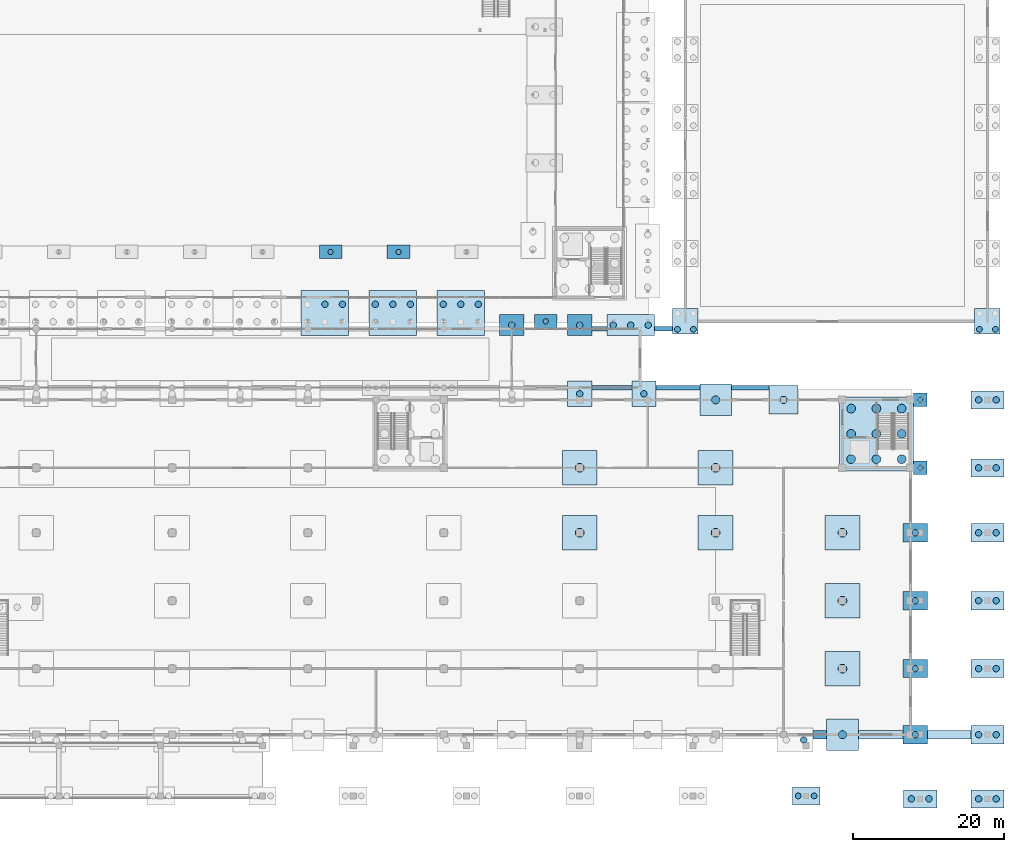
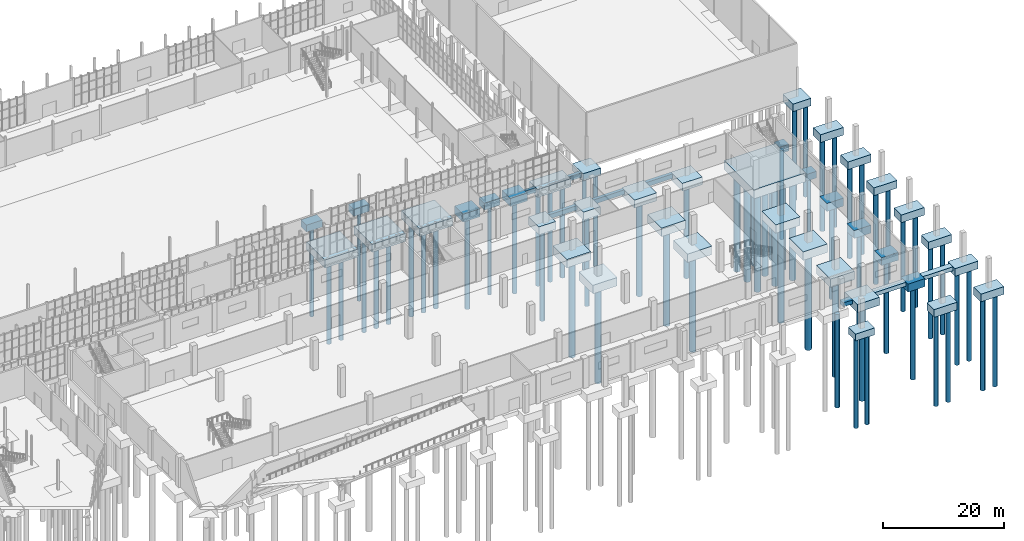
# One storey, part 6 of 131: 66 piles, 47 footings.
"""IFC4 building model written with IfcOpenShell, lengths in metres."""

from ifc_helpers import new_model, si_unit, direction, frame, origin, origin_2d, place, context, subcontext, project, spatial, rectangle, circle, extrude, material, material_profile, profile_set, type_object, element, save


model = new_model("IFC4")

# Units and contexts
model_context = context("Model", 3, precision=1e-05, world=origin(), true_north=direction((0.0, 1.0)))
body_context = subcontext(model_context, "Body", "Model", "MODEL_VIEW")
ifc_project = project(units=[si_unit("LENGTHUNIT", "METRE"), si_unit("AREAUNIT", "SQUARE_METRE"), si_unit("VOLUMEUNIT", "CUBIC_METRE"), si_unit("PLANEANGLEUNIT", "RADIAN"), si_unit("MASSUNIT", "GRAM", prefix="KILO")], contexts=[model_context])

# Site, building, storey
site_placement = place(None, origin())
site = spatial("IfcSite", under=ifc_project, at=site_placement, CompositionType="ELEMENT")
building_placement = place(site_placement, origin())
building = spatial("IfcBuilding", under=site, at=building_placement, Name="Cazmaro Siding Exhibition Halls", CompositionType="ELEMENT")
storey_placement = place(building_placement, origin())
storey = spatial("IfcBuildingStorey", under=building, at=storey_placement, Name="L00", CompositionType="ELEMENT", Elevation=0.0)

# Footings
ifc_material_1 = material(Name="Concrete f'c 35 MPa", Category="concrete")
footing_type_1 = type_object("IfcFootingType", Name="GB-0200", PredefinedType="FOOTING_BEAM", material=ifc_material_1)
footing_1_placement = place(storey_placement, frame((164.60009765625, 63.0, -0.89990234375), z_axis=(0.0, 0.0, 1.0), x_axis=(1.0, 0.0, 0.0)))
element("IfcFooting", 1, at=footing_1_placement, inside=storey, type_object=footing_type_1, Name="Seismic tie ground beam GB-0200 FTG-0278", PredefinedType="FOOTING_BEAM", context=body_context, shape_type="SweptSolid", body=[
    extrude(rectangle(XDim=2.0, YDim=0.60009765625, at=origin_2d()), origin(), (0.0, 0.0, 1.0), 0.89990234375),
])
ifc_material_2 = material(Name="Concrete f'c 35 MPa", Category="concrete")
footing_type_2 = type_object("IfcFootingType", Name="GB-0240", PredefinedType="FOOTING_BEAM", material=ifc_material_2)
footing_2_placement = place(storey_placement, frame((173.10009765625, 63.0, -0.89990234375), z_axis=(0.0, 0.0, 1.0), x_axis=(1.0, 0.0, 0.0)))
element("IfcFooting", 2, at=footing_2_placement, inside=storey, type_object=footing_type_2, Name="Seismic tie ground beam GB-0240 FTG-0279", PredefinedType="FOOTING_BEAM", context=body_context, shape_type="SweptSolid", body=[
    extrude(rectangle(XDim=2.39990234375, YDim=0.60009765625, at=origin_2d()), origin(), (0.0, 0.0, 1.0), 0.89990234375),
])
ifc_material_3 = material(Name="Concrete f'c 35 MPa", Category="concrete")
footing_type_3 = type_object("IfcFootingType", Name="GB-0500", PredefinedType="FOOTING_BEAM", material=ifc_material_3)
footing_3_placement = place(storey_placement, frame((184.60009765625, 55.199951171875, -0.89990234375), z_axis=(0.0, 0.0, 1.0), x_axis=(1.0, 0.0, 0.0)))
element("IfcFooting", 3, at=footing_3_placement, inside=storey, type_object=footing_type_3, Name="Seismic tie ground beam GB-0500 FTG-0262", PredefinedType="FOOTING_BEAM", context=body_context, shape_type="SweptSolid", body=[
    extrude(rectangle(XDim=5.0, YDim=0.60009765625, at=origin_2d()), origin(), (0.0, 0.0, 1.0), 0.89990234375),
])
ifc_material_4 = material(Name="Concrete f'c 35 MPa", Category="concrete")
footing_type_4 = type_object("IfcFootingType", Name="GB-0530", PredefinedType="FOOTING_BEAM", material=ifc_material_4)
footing_4_placement = place(storey_placement, frame((166.25, 55.199951171875, -0.89990234375), z_axis=(0.0, 0.0, 1.0), x_axis=(1.0, 0.0, 0.0)))
element("IfcFooting", 4, at=footing_4_placement, inside=storey, type_object=footing_type_4, Name="Seismic tie ground beam GB-0530 FTG-0260", PredefinedType="FOOTING_BEAM", context=body_context, shape_type="SweptSolid", body=[
    extrude(rectangle(XDim=5.300048828125, YDim=0.60009765625, at=origin_2d()), origin(), (0.0, 0.0, 1.0), 0.89990234375),
])
ifc_material_5 = material(Name="Concrete f'c 35 MPa", Category="concrete")
footing_type_5 = type_object("IfcFootingType", Name="GB-0580", PredefinedType="FOOTING_BEAM", material=ifc_material_5)
footing_5_placement = place(storey_placement, frame((175.0, 55.199951171875, -0.89990234375), z_axis=(0.0, 0.0, 1.0), x_axis=(1.0, 0.0, 0.0)))
element("IfcFooting", 5, at=footing_5_placement, inside=storey, type_object=footing_type_5, Name="Seismic tie ground beam GB-0580 FTG-0261", PredefinedType="FOOTING_BEAM", context=body_context, shape_type="SweptSolid", body=[
    extrude(rectangle(XDim=5.800048828125, YDim=0.60009765625, at=origin_2d()), origin(), (0.0, 0.0, 1.0), 0.89990234375),
])

# Piles
ifc_material_6 = material(Name="Concrete f'c 35 MPa", Category="concrete")
ifc_material_profile_1 = material_profile(ifc_material_6, circle(Radius=0.35009765625, at=origin_2d()), Name="CIDH-700")
ifc_profile_set_1 = profile_set([ifc_material_profile_1], Name="Concrete f'c 35 MPa")
pile_type_1 = type_object("IfcPileType", Name="P-01", PredefinedType="BORED", material=ifc_profile_set_1)
for number, where, z_axis, x_axis, name in (
    (6, (129.0, 73.199951171875, -1.300048828125), (0.0, 0.0, -1.0), (1.0, 0.0, 0.0), "Bored pile P-01 PIL-0532"),
    (7, (138.0, 73.199951171875, -1.300048828125), (0.0, 0.0, -1.0), (1.0, 0.0, 0.0), "Bored pile P-01 PIL-0552"),
    (8, (157.5, 64.0, -1.300048828125), (0.0, 0.0, -1.0), (1.0, 0.0, 0.0), "Bored pile P-01 PIL-0594"),
    (9, (207.10009765625, 44.60009765625, -1.25), (0.0, 0.0, -1.0), (1.0, 0.0, 0.0), "Bored pile P-01 PIL-0715"),
    (10, (207.10009765625, 53.60009765625, -1.25), (0.0, 0.0, -1.0), (1.0, 0.0, 0.0), "Bored pile P-01 PIL-0716"),
):
    element("IfcPile", number, at=place(storey_placement, frame(where, z_axis=z_axis, x_axis=x_axis)), inside=storey, type_object=pile_type_1, Name=name, PredefinedType="BORED", context=body_context, shape_type="SweptSolid", body=[
        extrude(circle(Radius=0.35009765625, at=origin_2d()), origin(), (0.0, 0.0, 1.0), 18.0),
    ])
ifc_material_7 = material(Name="Concrete f'c 35 MPa", Category="concrete")
ifc_material_profile_2 = material_profile(ifc_material_7, circle(Radius=0.389892578125, at=origin_2d()), Name="CIDH-780")
ifc_profile_set_2 = profile_set([ifc_material_profile_2], Name="Concrete f'c 35 MPa")
pile_type_2 = type_object("IfcPileType", Name="P-02", PredefinedType="BORED", material=ifc_profile_set_2)
for number, where, z_axis, x_axis, name in (
    (11, (174.947021484375, 62.947021484375, -1.39990234375), (0.0, 0.0, -1.0), (1.0, 0.0, 0.0), "Bored pile P-02 PIL-0661"),
    (12, (177.052978515625, 62.947021484375, -1.39990234375), (0.0, 0.0, -1.0), (1.0, 0.0, 0.0), "Bored pile P-02 PIL-0662"),
    (13, (190.947021484375, 1.14990234375, -1.300048828125), (0.0, 0.0, -1.0), (1.0, 0.0, 0.0), "Bored pile P-02 PIL-0703"),
    (14, (193.052978515625, 1.14990234375, -1.300048828125), (0.0, 0.0, -1.0), (1.0, 0.0, 0.0), "Bored pile P-02 PIL-0704"),
    (15, (214.947021484375, 62.947021484375, -1.39990234375), (0.0, 0.0, -1.0), (1.0, 0.0, 0.0), "Bored pile P-02 PIL-0731"),
    (16, (217.052978515625, 62.947021484375, -1.39990234375), (0.0, 0.0, -1.0), (1.0, 0.0, 0.0), "Bored pile P-02 PIL-0732"),
):
    element("IfcPile", number, at=place(storey_placement, frame(where, z_axis=z_axis, x_axis=x_axis)), inside=storey, type_object=pile_type_2, Name=name, PredefinedType="BORED", context=body_context, shape_type="SweptSolid", body=[
        extrude(circle(Radius=0.389892578125, at=origin_2d()), origin(), (0.0, 0.0, 1.0), 18.39990234375),
    ])
ifc_material_8 = material(Name="Concrete f'c 35 MPa", Category="concrete")
ifc_material_profile_3 = material_profile(ifc_material_8, circle(Radius=0.429931640625, at=origin_2d()), Name="CIDH-860")
ifc_profile_set_3 = profile_set([ifc_material_profile_3], Name="Concrete f'c 35 MPa")
pile_type_3 = type_object("IfcPileType", Name="P-03", PredefinedType="BORED", material=ifc_profile_set_3)
for number, where, z_axis, x_axis, name in (
    (17, (128.25, 66.260986328125, -1.5), (0.0, 0.0, -1.0), (1.0, 0.0, 0.0), "Bored pile P-03 PIL-0523"),
    (18, (130.572021484375, 66.260986328125, -1.5), (0.0, 0.0, -1.0), (1.0, 0.0, 0.0), "Bored pile P-03 PIL-0525"),
    (19, (134.927978515625, 66.260986328125, -1.5), (0.0, 0.0, -1.0), (1.0, 0.0, 0.0), "Bored pile P-03 PIL-0541"),
    (20, (137.25, 66.260986328125, -1.5), (0.0, 0.0, -1.0), (1.0, 0.0, 0.0), "Bored pile P-03 PIL-0543"),
    (21, (139.572021484375, 66.260986328125, -1.5), (0.0, 0.0, -1.0), (1.0, 0.0, 0.0), "Bored pile P-03 PIL-0545"),
    (22, (143.927978515625, 66.260986328125, -1.5), (0.0, 0.0, -1.0), (1.0, 0.0, 0.0), "Bored pile P-03 PIL-0562"),
    (23, (146.25, 66.260986328125, -1.5), (0.0, 0.0, -1.0), (1.0, 0.0, 0.0), "Bored pile P-03 PIL-0564"),
    (24, (148.572021484375, 66.260986328125, -1.5), (0.0, 0.0, -1.0), (1.0, 0.0, 0.0), "Bored pile P-03 PIL-0566"),
    (25, (153.0, 63.5, -1.5), (0.0, 0.0, -1.0), (1.0, 0.0, 0.0), "Bored pile P-03 PIL-0584"),
    (26, (162.0, 54.39990234375, -1.5), (0.0, 0.0, -1.0), (1.0, 0.0, 0.0), "Bored pile P-03 PIL-0608"),
    (27, (162.0, 63.5, -1.5), (0.0, 0.0, -1.0), (1.0, 0.0, 0.0), "Bored pile P-03 PIL-0609"),
    (28, (166.427978515625, 63.5, -1.5), (0.0, 0.0, -1.0), (1.0, 0.0, 0.0), "Bored pile P-03 PIL-0610"),
    (29, (168.75, 63.5, -1.5), (0.0, 0.0, -1.0), (1.0, 0.0, 0.0), "Bored pile P-03 PIL-0611"),
    (30, (171.072021484375, 63.5, -1.5), (0.0, 0.0, -1.0), (1.0, 0.0, 0.0), "Bored pile P-03 PIL-0612"),
    (31, (170.5, 54.39990234375, -1.5), (0.0, 0.0, -1.0), (1.0, 0.0, 0.0), "Bored pile P-03 PIL-0653"),
    (32, (191.660888671875, 8.550048828125, -1.5), (0.0, 0.0, -1.0), (1.0, 0.0, 0.0), "Bored pile P-03 PIL-0701"),
    (33, (206.449951171875, 9.25, -1.5), (0.0, 0.0, -1.0), (1.0, 0.0, 0.0), "Bored pile P-03 PIL-0709"),
    (34, (206.449951171875, 18.0, -1.5), (0.0, 0.0, -1.0), (1.0, 0.0, 0.0), "Bored pile P-03 PIL-0710"),
    (35, (206.449951171875, 27.0, -1.5), (0.0, 0.0, -1.0), (1.0, 0.0, 0.0), "Bored pile P-03 PIL-0711"),
    (36, (206.449951171875, 36.0, -1.5), (0.0, 0.0, -1.0), (1.0, 0.0, 0.0), "Bored pile P-03 PIL-0712"),
    (37, (205.93896484375, 0.75, -1.449951171875), (0.0, 0.0, -1.0), (1.0, 0.0, 0.0), "Bored pile P-03 PIL-0713"),
    (38, (208.260986328125, 0.75, -1.449951171875), (0.0, 0.0, -1.0), (1.0, 0.0, 0.0), "Bored pile P-03 PIL-0714"),
    (39, (214.839111328125, 0.75, -1.449951171875), (0.0, 0.0, -1.0), (1.0, 0.0, 0.0), "Bored pile P-03 PIL-0717"),
    (40, (217.160888671875, 0.75, -1.449951171875), (0.0, 0.0, -1.0), (1.0, 0.0, 0.0), "Bored pile P-03 PIL-0718"),
    (41, (214.839111328125, 9.25, -1.449951171875), (0.0, 0.0, -1.0), (1.0, 0.0, 0.0), "Bored pile P-03 PIL-0719"),
    (42, (217.160888671875, 9.25, -1.449951171875), (0.0, 0.0, -1.0), (1.0, 0.0, 0.0), "Bored pile P-03 PIL-0720"),
    (43, (214.839111328125, 18.0, -1.449951171875), (0.0, 0.0, -1.0), (1.0, 0.0, 0.0), "Bored pile P-03 PIL-0721"),
    (44, (217.160888671875, 18.0, -1.449951171875), (0.0, 0.0, -1.0), (1.0, 0.0, 0.0), "Bored pile P-03 PIL-0722"),
    (45, (214.839111328125, 27.0, -1.449951171875), (0.0, 0.0, -1.0), (1.0, 0.0, 0.0), "Bored pile P-03 PIL-0723"),
    (46, (217.160888671875, 27.0, -1.449951171875), (0.0, 0.0, -1.0), (1.0, 0.0, 0.0), "Bored pile P-03 PIL-0724"),
    (47, (214.839111328125, 36.0, -1.449951171875), (0.0, 0.0, -1.0), (1.0, 0.0, 0.0), "Bored pile P-03 PIL-0725"),
    (48, (217.160888671875, 36.0, -1.449951171875), (0.0, 0.0, -1.0), (1.0, 0.0, 0.0), "Bored pile P-03 PIL-0726"),
    (49, (214.839111328125, 44.60009765625, -1.449951171875), (0.0, 0.0, -1.0), (1.0, 0.0, 0.0), "Bored pile P-03 PIL-0727"),
    (50, (217.160888671875, 44.60009765625, -1.449951171875), (0.0, 0.0, -1.0), (1.0, 0.0, 0.0), "Bored pile P-03 PIL-0728"),
    (51, (214.839111328125, 53.60009765625, -1.449951171875), (0.0, 0.0, -1.0), (1.0, 0.0, 0.0), "Bored pile P-03 PIL-0729"),
    (52, (217.160888671875, 53.60009765625, -1.449951171875), (0.0, 0.0, -1.0), (1.0, 0.0, 0.0), "Bored pile P-03 PIL-0730"),
):
    element("IfcPile", number, at=place(storey_placement, frame(where, z_axis=z_axis, x_axis=x_axis)), inside=storey, type_object=pile_type_3, Name=name, PredefinedType="BORED", context=body_context, shape_type="SweptSolid", body=[
        extrude(circle(Radius=0.429931640625, at=origin_2d()), origin(), (0.0, 0.0, 1.0), 18.800048828125),
    ])
ifc_material_9 = material(Name="Concrete f'c 35 MPa", Category="concrete")
ifc_material_profile_4 = material_profile(ifc_material_9, circle(Radius=0.47998046875, at=origin_2d()), Name="CIDH-960")
ifc_profile_set_4 = profile_set([ifc_material_profile_4], Name="Concrete f'c 35 MPa")
pile_type_4 = type_object("IfcPileType", Name="P-04", PredefinedType="BORED", material=ifc_profile_set_4)
pile_placement = place(storey_placement, frame((189.0, 53.60009765625, -1.449951171875), z_axis=(0.0, 0.0, -1.0), x_axis=(1.0, 0.0, 0.0)))
element("IfcPile", 53, at=pile_placement, inside=storey, type_object=pile_type_4, Name="Bored pile P-04 PIL-0702", PredefinedType="BORED", context=body_context, shape_type="SweptSolid", body=[
    extrude(circle(Radius=0.47998046875, at=origin_2d()), origin(), (0.0, 0.0, 1.0), 19.199951171875),
])
ifc_material_10 = material(Name="Concrete f'c 35 MPa", Category="concrete")
ifc_material_profile_5 = material_profile(ifc_material_10, circle(Radius=0.530029296875, at=origin_2d()), Name="CIDH-1060")
ifc_profile_set_5 = profile_set([ifc_material_profile_5], Name="Concrete f'c 35 MPa")
pile_type_5 = type_object("IfcPileType", Name="P-05", PredefinedType="BORED", material=ifc_profile_set_5)
for number, where, z_axis, x_axis, name in (
    (54, (180.0, 53.60009765625, -1.5), (0.0, 0.0, -1.0), (1.0, 0.0, 0.0), "Bored pile P-05 PIL-0699"),
    (55, (196.800048828125, 9.25, -1.5), (0.0, 0.0, -1.0), (1.0, 0.0, 0.0), "Bored pile P-05 PIL-0705"),
):
    element("IfcPile", number, at=place(storey_placement, frame(where, z_axis=z_axis, x_axis=x_axis)), inside=storey, type_object=pile_type_5, Name=name, PredefinedType="BORED", context=body_context, shape_type="SweptSolid", body=[
        extrude(circle(Radius=0.530029296875, at=origin_2d()), origin(), (0.0, 0.0, 1.0), 19.60009765625),
    ])
ifc_material_11 = material(Name="Concrete f'c 35 MPa", Category="concrete")
ifc_material_profile_6 = material_profile(ifc_material_11, circle(Radius=0.580078125, at=origin_2d()), Name="CIDH-1160")
ifc_profile_set_6 = profile_set([ifc_material_profile_6], Name="Concrete f'c 35 MPa")
pile_type_6 = type_object("IfcPileType", Name="P-06", PredefinedType="BORED", material=ifc_profile_set_6)
for number, where, z_axis, x_axis, name in (
    (56, (197.949951171875, 45.75, -1.699951171875), (0.0, 0.0, -1.0), (1.0, 0.0, 0.0), "Bored pile P-06 PIL-0052"),
    (57, (197.949951171875, 49.10009765625, -1.699951171875), (0.0, 0.0, -1.0), (1.0, 0.0, 0.0), "Bored pile P-06 PIL-0053"),
    (58, (197.949951171875, 52.449951171875, -1.699951171875), (0.0, 0.0, -1.0), (1.0, 0.0, 0.0), "Bored pile P-06 PIL-0054"),
    (59, (201.300048828125, 45.75, -1.699951171875), (0.0, 0.0, -1.0), (1.0, 0.0, 0.0), "Bored pile P-06 PIL-0055"),
    (60, (201.300048828125, 49.10009765625, -1.699951171875), (0.0, 0.0, -1.0), (1.0, 0.0, 0.0), "Bored pile P-06 PIL-0056"),
    (61, (201.300048828125, 52.449951171875, -1.699951171875), (0.0, 0.0, -1.0), (1.0, 0.0, 0.0), "Bored pile P-06 PIL-0057"),
    (62, (204.64990234375, 45.75, -1.699951171875), (0.0, 0.0, -1.0), (1.0, 0.0, 0.0), "Bored pile P-06 PIL-0058"),
    (63, (204.64990234375, 49.10009765625, -1.699951171875), (0.0, 0.0, -1.0), (1.0, 0.0, 0.0), "Bored pile P-06 PIL-0059"),
    (64, (204.64990234375, 52.449951171875, -1.699951171875), (0.0, 0.0, -1.0), (1.0, 0.0, 0.0), "Bored pile P-06 PIL-0060"),
    (65, (162.0, 36.0, -1.60009765625), (0.0, 0.0, -1.0), (1.0, 0.0, 0.0), "Bored pile P-06 PIL-0606"),
    (66, (162.0, 44.60009765625, -1.60009765625), (0.0, 0.0, -1.0), (1.0, 0.0, 0.0), "Bored pile P-06 PIL-0607"),
    (67, (180.0, 36.0, -1.60009765625), (0.0, 0.0, -1.0), (1.0, 0.0, 0.0), "Bored pile P-06 PIL-0697"),
    (68, (180.0, 44.60009765625, -1.60009765625), (0.0, 0.0, -1.0), (1.0, 0.0, 0.0), "Bored pile P-06 PIL-0698"),
    (69, (196.800048828125, 18.0, -1.60009765625), (0.0, 0.0, -1.0), (1.0, 0.0, 0.0), "Bored pile P-06 PIL-0706"),
    (70, (196.800048828125, 27.0, -1.60009765625), (0.0, 0.0, -1.0), (1.0, 0.0, 0.0), "Bored pile P-06 PIL-0707"),
    (71, (196.800048828125, 36.0, -1.60009765625), (0.0, 0.0, -1.0), (1.0, 0.0, 0.0), "Bored pile P-06 PIL-0708"),
):
    element("IfcPile", number, at=place(storey_placement, frame(where, z_axis=z_axis, x_axis=x_axis)), inside=storey, type_object=pile_type_6, Name=name, PredefinedType="BORED", context=body_context, shape_type="SweptSolid", body=[
        extrude(circle(Radius=0.580078125, at=origin_2d()), origin(), (0.0, 0.0, 1.0), 20.0),
    ])

# Footings
ifc_material_12 = material(Name="Concrete f'c 35 MPa", Category="concrete")
footing_type_6 = type_object("IfcFootingType", Name="PC-01", PredefinedType="PILE_CAP", material=ifc_material_12)
for number, where, z_axis, x_axis, name in (
    (72, (129.0, 73.199951171875, -1.39990234375), (0.0, 0.0, 1.0), (1.0, 0.0, 0.0), "Pile cap PC-01 FTG-0156"),
    (73, (138.0, 73.199951171875, -1.39990234375), (0.0, 0.0, 1.0), (1.0, 0.0, 0.0), "Pile cap PC-01 FTG-0163"),
    (74, (157.5, 64.0, -1.39990234375), (0.0, 0.0, 1.0), (1.0, 0.0, 0.0), "Pile cap PC-01 FTG-0183"),
):
    element("IfcFooting", number, at=place(storey_placement, frame(where, z_axis=z_axis, x_axis=x_axis)), inside=storey, type_object=footing_type_6, Name=name, PredefinedType="PILE_CAP", context=body_context, shape_type="SweptSolid", body=[
        extrude(rectangle(XDim=3.0, YDim=1.800048828125, at=origin_2d()), origin(), (0.0, 0.0, 1.0), 1.39990234375),
    ])
ifc_material_13 = material(Name="Concrete f'c 35 MPa", Category="concrete")
footing_type_7 = type_object("IfcFootingType", Name="PC-02", PredefinedType="PILE_CAP", material=ifc_material_13)
for number, where, z_axis, x_axis, name in (
    (75, (176.0, 64.0, -1.5), (0.0, 0.0, 1.0), (1.0, 0.0, 0.0), "Pile cap PC-02 FTG-0201"),
    (76, (216.0, 64.0, -1.5), (0.0, 0.0, 1.0), (1.0, 0.0, 0.0), "Pile cap PC-02 FTG-0236"),
):
    element("IfcFooting", number, at=place(storey_placement, frame(where, z_axis=z_axis, x_axis=x_axis)), inside=storey, type_object=footing_type_7, Name=name, PredefinedType="PILE_CAP", context=body_context, shape_type="SweptSolid", body=[
        extrude(rectangle(XDim=3.39990234375, YDim=3.39990234375, at=origin_2d()), origin(), (0.0, 0.0, 1.0), 1.5),
    ])
ifc_material_14 = material(Name="Concrete f'c 35 MPa", Category="concrete")
footing_type_8 = type_object("IfcFootingType", Name="PC-03", PredefinedType="PILE_CAP", material=ifc_material_14)
footing_6_placement = place(storey_placement, frame((189.0, 53.60009765625, -1.5498046875), z_axis=(0.0, 0.0, 1.0), x_axis=(1.0, 0.0, 0.0)))
element("IfcFooting", 77, at=footing_6_placement, inside=storey, type_object=footing_type_8, Name="Pile cap PC-03 FTG-0216", PredefinedType="PILE_CAP", context=body_context, shape_type="SweptSolid", body=[
    extrude(rectangle(XDim=3.800048828125, YDim=3.800048828125, at=origin_2d()), origin(), (0.0, 0.0, 1.0), 1.550048828125),
])
ifc_material_15 = material(Name="Concrete f'c 35 MPa", Category="concrete")
footing_type_9 = type_object("IfcFootingType", Name="PC-04", PredefinedType="PILE_CAP", material=ifc_material_15)
for number, where, z_axis, x_axis, name in (
    (78, (180.0, 53.60009765625, -1.60009765625), (0.0, 0.0, 1.0), (1.0, 0.0, 0.0), "Pile cap PC-04 FTG-0214"),
    (79, (196.800048828125, 9.25, -1.60009765625), (0.0, 0.0, 1.0), (1.0, 0.0, 0.0), "Pile cap PC-04 FTG-0218"),
):
    element("IfcFooting", number, at=place(storey_placement, frame(where, z_axis=z_axis, x_axis=x_axis)), inside=storey, type_object=footing_type_9, Name=name, PredefinedType="PILE_CAP", context=body_context, shape_type="SweptSolid", body=[
        extrude(rectangle(XDim=4.199951171875, YDim=4.199951171875, at=origin_2d()), origin(), (0.0, 0.0, 1.0), 1.60009765625),
    ])
ifc_material_16 = material(Name="Concrete f'c 35 MPa", Category="concrete")
footing_type_10 = type_object("IfcFootingType", Name="PC-05", PredefinedType="PILE_CAP", material=ifc_material_16)
for number, where, z_axis, x_axis, name in (
    (80, (162.0, 36.0, -1.7001953125), (0.0, 0.0, 1.0), (1.0, 0.0, 0.0), "Pile cap PC-05 FTG-0189"),
    (81, (162.0, 44.60009765625, -1.7001953125), (0.0, 0.0, 1.0), (1.0, 0.0, 0.0), "Pile cap PC-05 FTG-0190"),
    (82, (180.0, 36.0, -1.7001953125), (0.0, 0.0, 1.0), (1.0, 0.0, 0.0), "Pile cap PC-05 FTG-0212"),
    (83, (180.0, 44.60009765625, -1.7001953125), (0.0, 0.0, 1.0), (1.0, 0.0, 0.0), "Pile cap PC-05 FTG-0213"),
    (84, (196.800048828125, 18.0, -1.7001953125), (0.0, 0.0, 1.0), (1.0, 0.0, 0.0), "Pile cap PC-05 FTG-0219"),
    (85, (196.800048828125, 27.0, -1.7001953125), (0.0, 0.0, 1.0), (1.0, 0.0, 0.0), "Pile cap PC-05 FTG-0220"),
    (86, (196.800048828125, 36.0, -1.7001953125), (0.0, 0.0, 1.0), (1.0, 0.0, 0.0), "Pile cap PC-05 FTG-0221"),
):
    element("IfcFooting", number, at=place(storey_placement, frame(where, z_axis=z_axis, x_axis=x_axis)), inside=storey, type_object=footing_type_10, Name=name, PredefinedType="PILE_CAP", context=body_context, shape_type="SweptSolid", body=[
        extrude(rectangle(XDim=4.60009765625, YDim=4.60009765625, at=origin_2d()), origin(), (0.0, 0.0, 1.0), 1.699951171875),
    ])
ifc_material_17 = material(Name="Concrete f'c 35 MPa", Category="concrete")
footing_type_11 = type_object("IfcFootingType", Name="PC-08", PredefinedType="PILE_CAP", material=ifc_material_17)
for number, where, z_axis, x_axis, name in (
    (87, (207.10009765625, 0.75, -1.5498046875), (0.0, 0.0, 1.0), (1.0, 0.0, 0.0), "Pile cap PC-08 FTG-0226"),
    (88, (216.0, 0.75, -1.5498046875), (0.0, 0.0, 1.0), (1.0, 0.0, 0.0), "Pile cap PC-08 FTG-0229"),
    (89, (216.0, 9.25, -1.5498046875), (0.0, 0.0, 1.0), (1.0, 0.0, 0.0), "Pile cap PC-08 FTG-0230"),
    (90, (216.0, 18.0, -1.5498046875), (0.0, 0.0, 1.0), (1.0, 0.0, 0.0), "Pile cap PC-08 FTG-0231"),
    (91, (216.0, 27.0, -1.5498046875), (0.0, 0.0, 1.0), (1.0, 0.0, 0.0), "Pile cap PC-08 FTG-0232"),
    (92, (216.0, 36.0, -1.5498046875), (0.0, 0.0, 1.0), (1.0, 0.0, 0.0), "Pile cap PC-08 FTG-0233"),
    (93, (216.0, 44.60009765625, -1.5498046875), (0.0, 0.0, 1.0), (1.0, 0.0, 0.0), "Pile cap PC-08 FTG-0234"),
    (94, (216.0, 53.60009765625, -1.5498046875), (0.0, 0.0, 1.0), (1.0, 0.0, 0.0), "Pile cap PC-08 FTG-0235"),
):
    element("IfcFooting", number, at=place(storey_placement, frame(where, z_axis=z_axis, x_axis=x_axis)), inside=storey, type_object=footing_type_11, Name=name, PredefinedType="PILE_CAP", context=body_context, shape_type="SweptSolid", body=[
        extrude(rectangle(XDim=4.39990234375, YDim=2.39990234375, at=origin_2d()), origin(), (0.0, 0.0, 1.0), 1.550048828125),
    ])
ifc_material_18 = material(Name="Concrete f'c 35 MPa", Category="concrete")
footing_type_12 = type_object("IfcFootingType", Name="PC-12", PredefinedType="PILE_CAP", material=ifc_material_18)
footing_7_placement = place(storey_placement, frame((201.300048828125, 49.10009765625, -1.7998046875), z_axis=(0.0, 0.0, 1.0), x_axis=(1.0, 0.0, 0.0)))
element("IfcFooting", 95, at=footing_7_placement, inside=storey, type_object=footing_type_12, Name="Pile cap PC-12 FTG-0006", PredefinedType="PILE_CAP", context=body_context, shape_type="SweptSolid", body=[
    extrude(rectangle(XDim=9.800048828125, YDim=9.800048828125, at=origin_2d()), origin(), (0.0, 0.0, 1.0), 1.800048828125),
])
ifc_material_19 = material(Name="Concrete f'c 35 MPa", Category="concrete")
footing_type_13 = type_object("IfcFootingType", Name="PC-15", PredefinedType="PILE_CAP", material=ifc_material_19)
footing_8_placement = place(storey_placement, frame((192.0, 1.14990234375, -1.39990234375), z_axis=(0.0, 0.0, 1.0), x_axis=(1.0, 0.0, 0.0)))
element("IfcFooting", 96, at=footing_8_placement, inside=storey, type_object=footing_type_13, Name="Pile cap PC-15 FTG-0217", PredefinedType="PILE_CAP", context=body_context, shape_type="SweptSolid", body=[
    extrude(rectangle(XDim=3.60009765625, YDim=2.39990234375, at=origin_2d()), origin(), (0.0, 0.0, 1.0), 1.39990234375),
])
ifc_material_20 = material(Name="Concrete f'c 35 MPa", Category="concrete")
footing_type_14 = type_object("IfcFootingType", Name="PC-62", PredefinedType="PILE_CAP", material=ifc_material_20)
footing_9_placement = place(storey_placement, frame((128.25, 65.10009765625, -1.60009765625), z_axis=(0.0, 0.0, 1.0), x_axis=(1.0, 0.0, 0.0)))
element("IfcFooting", 97, at=footing_9_placement, inside=storey, type_object=footing_type_14, Name="Pile cap PC-62 FTG-0154", PredefinedType="PILE_CAP", context=body_context, shape_type="SweptSolid", body=[
    extrude(rectangle(XDim=6.300048828125, YDim=6.0, at=origin_2d()), origin(), (0.0, 0.0, 1.0), 1.60009765625),
])
ifc_material_21 = material(Name="Concrete f'c 35 MPa", Category="concrete")
footing_type_15 = type_object("IfcFootingType", Name="PC-65", PredefinedType="PILE_CAP", material=ifc_material_21)
footing_10_placement = place(storey_placement, frame((137.25, 65.10009765625, -1.60009765625), z_axis=(0.0, 0.0, 1.0), x_axis=(1.0, 0.0, 0.0)))
element("IfcFooting", 98, at=footing_10_placement, inside=storey, type_object=footing_type_15, Name="Pile cap PC-65 FTG-0161", PredefinedType="PILE_CAP", context=body_context, shape_type="SweptSolid", body=[
    extrude(rectangle(XDim=6.300048828125, YDim=6.0, at=origin_2d()), origin(), (0.0, 0.0, 1.0), 1.60009765625),
])
ifc_material_22 = material(Name="Concrete f'c 35 MPa", Category="concrete")
footing_type_16 = type_object("IfcFootingType", Name="PC-68", PredefinedType="PILE_CAP", material=ifc_material_22)
footing_11_placement = place(storey_placement, frame((146.25, 65.10009765625, -1.60009765625), z_axis=(0.0, 0.0, 1.0), x_axis=(1.0, 0.0, 0.0)))
element("IfcFooting", 99, at=footing_11_placement, inside=storey, type_object=footing_type_16, Name="Pile cap PC-68 FTG-0170", PredefinedType="PILE_CAP", context=body_context, shape_type="SweptSolid", body=[
    extrude(rectangle(XDim=6.300048828125, YDim=6.0, at=origin_2d()), origin(), (0.0, 0.0, 1.0), 1.60009765625),
])
ifc_material_23 = material(Name="Concrete f'c 35 MPa", Category="concrete")
footing_type_17 = type_object("IfcFootingType", Name="PC-72", PredefinedType="PILE_CAP", material=ifc_material_23)
footing_12_placement = place(storey_placement, frame((153.0, 63.5, -1.60009765625), z_axis=(0.0, 0.0, 1.0), x_axis=(1.0, 0.0, 0.0)))
element("IfcFooting", 100, at=footing_12_placement, inside=storey, type_object=footing_type_17, Name="Pile cap PC-72 FTG-0177", PredefinedType="PILE_CAP", context=body_context, shape_type="SweptSolid", body=[
    extrude(rectangle(XDim=3.199951171875, YDim=2.800048828125, at=origin_2d()), origin(), (0.0, 0.0, 1.0), 1.60009765625),
])
ifc_material_24 = material(Name="Concrete f'c 35 MPa", Category="concrete")
footing_type_18 = type_object("IfcFootingType", Name="PC-79", PredefinedType="PILE_CAP", material=ifc_material_24)
footing_13_placement = place(storey_placement, frame((162.0, 54.39990234375, -1.60009765625), z_axis=(0.0, 0.0, 1.0), x_axis=(1.0, 0.0, 0.0)))
element("IfcFooting", 101, at=footing_13_placement, inside=storey, type_object=footing_type_18, Name="Pile cap PC-79 FTG-0191", PredefinedType="PILE_CAP", context=body_context, shape_type="SweptSolid", body=[
    extrude(rectangle(XDim=3.199951171875, YDim=3.39990234375, at=origin_2d()), origin(), (0.0, 0.0, 1.0), 1.60009765625),
])
ifc_material_25 = material(Name="Concrete f'c 35 MPa", Category="concrete")
footing_type_19 = type_object("IfcFootingType", Name="PC-80", PredefinedType="PILE_CAP", material=ifc_material_25)
footing_14_placement = place(storey_placement, frame((162.0, 63.5, -1.60009765625), z_axis=(0.0, 0.0, 1.0), x_axis=(1.0, 0.0, 0.0)))
element("IfcFooting", 102, at=footing_14_placement, inside=storey, type_object=footing_type_19, Name="Pile cap PC-80 FTG-0192", PredefinedType="PILE_CAP", context=body_context, shape_type="SweptSolid", body=[
    extrude(rectangle(XDim=3.199951171875, YDim=2.800048828125, at=origin_2d()), origin(), (0.0, 0.0, 1.0), 1.60009765625),
])
ifc_material_26 = material(Name="Concrete f'c 35 MPa", Category="concrete")
footing_type_20 = type_object("IfcFootingType", Name="PC-81", PredefinedType="PILE_CAP", material=ifc_material_26)
footing_15_placement = place(storey_placement, frame((168.75, 63.5, -1.60009765625), z_axis=(0.0, 0.0, 1.0), x_axis=(1.0, 0.0, 0.0)))
element("IfcFooting", 103, at=footing_15_placement, inside=storey, type_object=footing_type_20, Name="Pile cap PC-81 FTG-0193", PredefinedType="PILE_CAP", context=body_context, shape_type="SweptSolid", body=[
    extrude(rectangle(XDim=6.300048828125, YDim=2.800048828125, at=origin_2d()), origin(), (0.0, 0.0, 1.0), 1.60009765625),
])
ifc_material_27 = material(Name="Concrete f'c 35 MPa", Category="concrete")
footing_type_21 = type_object("IfcFootingType", Name="PC-85", PredefinedType="PILE_CAP", material=ifc_material_27)
footing_16_placement = place(storey_placement, frame((170.5, 54.39990234375, -1.60009765625), z_axis=(0.0, 0.0, 1.0), x_axis=(1.0, 0.0, 0.0)))
element("IfcFooting", 104, at=footing_16_placement, inside=storey, type_object=footing_type_21, Name="Pile cap PC-85 FTG-0197", PredefinedType="PILE_CAP", context=body_context, shape_type="SweptSolid", body=[
    extrude(rectangle(XDim=3.199951171875, YDim=3.39990234375, at=origin_2d()), origin(), (0.0, 0.0, 1.0), 1.60009765625),
])
ifc_material_28 = material(Name="Concrete f'c 35 MPa", Category="concrete")
footing_type_22 = type_object("IfcFootingType", Name="PC-90", PredefinedType="PILE_CAP", material=ifc_material_28)
footing_17_placement = place(storey_placement, frame((206.449951171875, 9.25, -1.60009765625), z_axis=(0.0, 0.0, 1.0), x_axis=(1.0, 0.0, 0.0)))
element("IfcFooting", 105, at=footing_17_placement, inside=storey, type_object=footing_type_22, Name="Pile cap PC-90 FTG-0222", PredefinedType="PILE_CAP", context=body_context, shape_type="SweptSolid", body=[
    extrude(rectangle(XDim=3.199951171875, YDim=2.39990234375, at=origin_2d()), origin(), (0.0, 0.0, 1.0), 1.60009765625),
])
ifc_material_29 = material(Name="Concrete f'c 35 MPa", Category="concrete")
footing_type_23 = type_object("IfcFootingType", Name="PC-91", PredefinedType="PILE_CAP", material=ifc_material_29)
footing_18_placement = place(storey_placement, frame((206.449951171875, 18.0, -1.60009765625), z_axis=(0.0, 0.0, 1.0), x_axis=(1.0, 0.0, 0.0)))
element("IfcFooting", 106, at=footing_18_placement, inside=storey, type_object=footing_type_23, Name="Pile cap PC-91 FTG-0223", PredefinedType="PILE_CAP", context=body_context, shape_type="SweptSolid", body=[
    extrude(rectangle(XDim=3.199951171875, YDim=2.39990234375, at=origin_2d()), origin(), (0.0, 0.0, 1.0), 1.60009765625),
])
ifc_material_30 = material(Name="Concrete f'c 35 MPa", Category="concrete")
footing_type_24 = type_object("IfcFootingType", Name="PC-92", PredefinedType="PILE_CAP", material=ifc_material_30)
footing_19_placement = place(storey_placement, frame((206.449951171875, 27.0, -1.60009765625), z_axis=(0.0, 0.0, 1.0), x_axis=(1.0, 0.0, 0.0)))
element("IfcFooting", 107, at=footing_19_placement, inside=storey, type_object=footing_type_24, Name="Pile cap PC-92 FTG-0224", PredefinedType="PILE_CAP", context=body_context, shape_type="SweptSolid", body=[
    extrude(rectangle(XDim=3.199951171875, YDim=2.39990234375, at=origin_2d()), origin(), (0.0, 0.0, 1.0), 1.60009765625),
])
ifc_material_31 = material(Name="Concrete f'c 35 MPa", Category="concrete")
footing_type_25 = type_object("IfcFootingType", Name="PC-93", PredefinedType="PILE_CAP", material=ifc_material_31)
footing_20_placement = place(storey_placement, frame((206.449951171875, 36.0, -1.60009765625), z_axis=(0.0, 0.0, 1.0), x_axis=(1.0, 0.0, 0.0)))
element("IfcFooting", 108, at=footing_20_placement, inside=storey, type_object=footing_type_25, Name="Pile cap PC-93 FTG-0225", PredefinedType="PILE_CAP", context=body_context, shape_type="SweptSolid", body=[
    extrude(rectangle(XDim=3.199951171875, YDim=2.39990234375, at=origin_2d()), origin(), (0.0, 0.0, 1.0), 1.60009765625),
])
ifc_material_32 = material(Name="Concrete f'c 35 MPa", Category="concrete")
footing_type_26 = type_object("IfcFootingType", Name="PC-94", PredefinedType="PILE_CAP", material=ifc_material_32)
footing_21_placement = place(storey_placement, frame((207.10009765625, 44.60009765625, -1.35009765625), z_axis=(0.0, 0.0, 1.0), x_axis=(1.0, 0.0, 0.0)))
element("IfcFooting", 109, at=footing_21_placement, inside=storey, type_object=footing_type_26, Name="Pile cap PC-94 FTG-0227", PredefinedType="PILE_CAP", context=body_context, shape_type="SweptSolid", body=[
    extrude(rectangle(XDim=1.800048828125, YDim=1.800048828125, at=origin_2d()), origin(), (0.0, 0.0, 1.0), 1.35009765625),
])
ifc_material_33 = material(Name="Concrete f'c 35 MPa", Category="concrete")
footing_type_27 = type_object("IfcFootingType", Name="PC-95", PredefinedType="PILE_CAP", material=ifc_material_33)
footing_22_placement = place(storey_placement, frame((207.10009765625, 53.60009765625, -1.35009765625), z_axis=(0.0, 0.0, 1.0), x_axis=(1.0, 0.0, 0.0)))
element("IfcFooting", 110, at=footing_22_placement, inside=storey, type_object=footing_type_27, Name="Pile cap PC-95 FTG-0228", PredefinedType="PILE_CAP", context=body_context, shape_type="SweptSolid", body=[
    extrude(rectangle(XDim=1.800048828125, YDim=1.800048828125, at=origin_2d()), origin(), (0.0, 0.0, 1.0), 1.35009765625),
])
ifc_material_34 = material(Name="Concrete f'c 35 MPa", Category="concrete")
footing_type_28 = type_object("IfcFootingType", Name="SF-0180", PredefinedType="STRIP_FOOTING", material=ifc_material_34)
footing_23_placement = place(storey_placement, frame((193.800048828125, 9.25, -0.7998046875), z_axis=(0.0, 0.0, 1.0), x_axis=(1.0, 0.0, 0.0)))
element("IfcFooting", 111, at=footing_23_placement, inside=storey, type_object=footing_type_28, Name="Strip footing SF-0180 FTG-0300", PredefinedType="STRIP_FOOTING", context=body_context, shape_type="SweptSolid", body=[
    extrude(rectangle(XDim=1.800048828125, YDim=1.10009765625, at=origin_2d()), origin(), (0.0, 0.0, 1.0), 0.800048828125),
])
ifc_material_35 = material(Name="Concrete f'c 35 MPa", Category="concrete")
footing_type_29 = type_object("IfcFootingType", Name="SF-0575", PredefinedType="STRIP_FOOTING", material=ifc_material_35)
footing_24_placement = place(storey_placement, frame((210.925048828125, 9.25, -0.7998046875), z_axis=(0.0, 0.0, 1.0), x_axis=(1.0, 0.0, 0.0)))
element("IfcFooting", 112, at=footing_24_placement, inside=storey, type_object=footing_type_29, Name="Strip footing SF-0575 FTG-0302", PredefinedType="STRIP_FOOTING", context=body_context, shape_type="SweptSolid", body=[
    extrude(rectangle(XDim=5.75, YDim=1.10009765625, at=origin_2d()), origin(), (0.0, 0.0, 1.0), 0.800048828125),
])
ifc_material_36 = material(Name="Concrete f'c 35 MPa", Category="concrete")
footing_type_30 = type_object("IfcFootingType", Name="SF-0595", PredefinedType="STRIP_FOOTING", material=ifc_material_36)
footing_25_placement = place(storey_placement, frame((201.875, 9.25, -0.7998046875), z_axis=(0.0, 0.0, 1.0), x_axis=(1.0, 0.0, 0.0)))
element("IfcFooting", 113, at=footing_25_placement, inside=storey, type_object=footing_type_30, Name="Strip footing SF-0595 FTG-0301", PredefinedType="STRIP_FOOTING", context=body_context, shape_type="SweptSolid", body=[
    extrude(rectangle(XDim=5.949951171875, YDim=1.10009765625, at=origin_2d()), origin(), (0.0, 0.0, 1.0), 0.800048828125),
])

save(model, "model.ifc")
